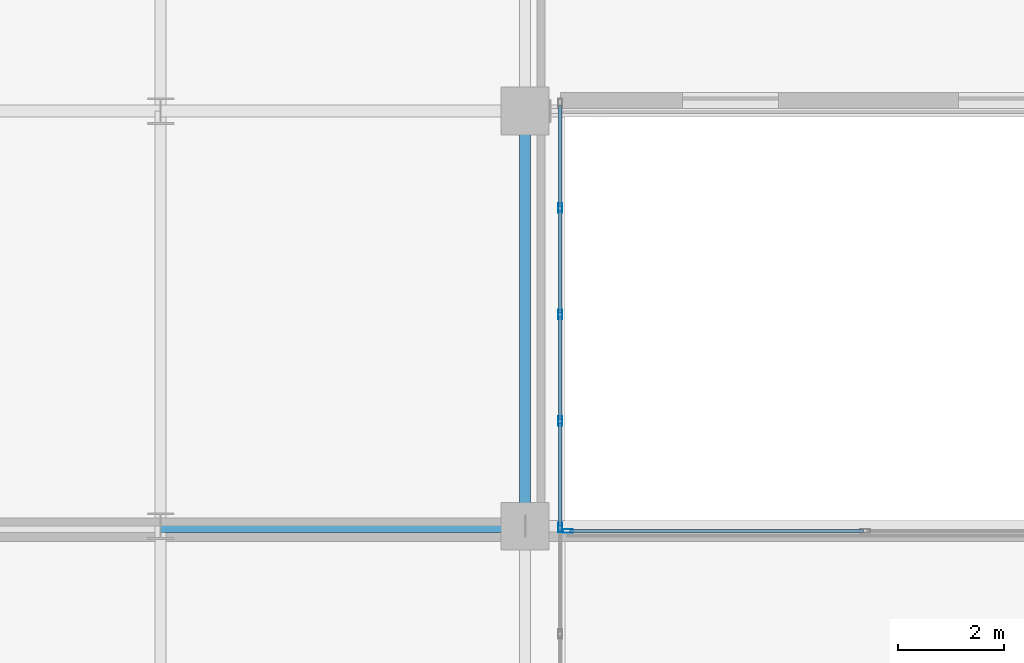
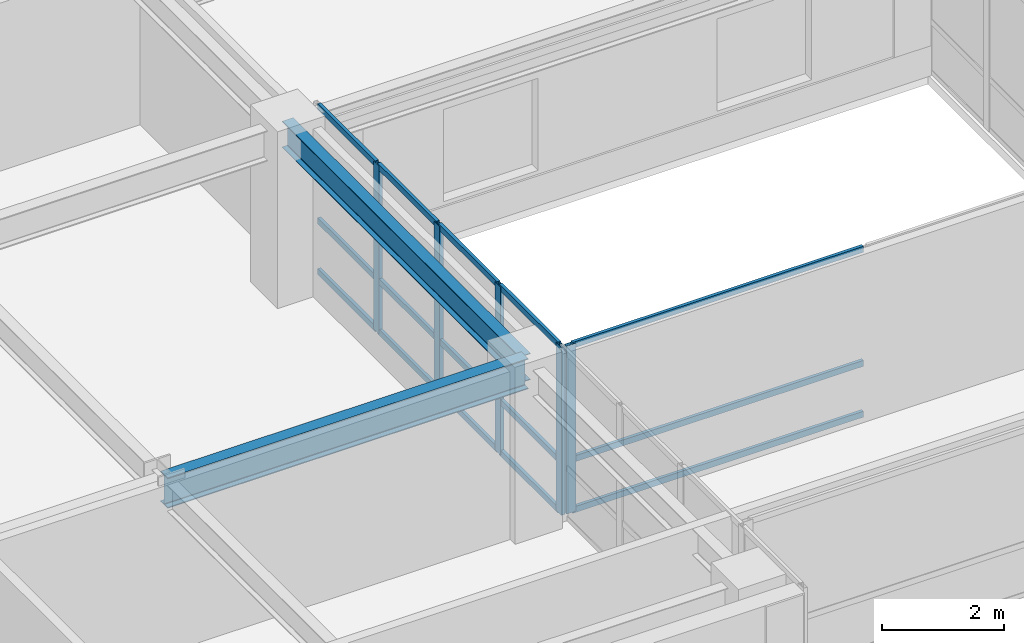
# One storey, part 3 of 31: 20 members, 2 beams, 2 elements without a shape of their own.
"""IFC4 building model written with IfcOpenShell, lengths in metres."""

from ifc_helpers import new_model, si_unit, direction, frame, origin, origin_2d, place, context, subcontext, project, spatial, hollow_rectangle, i_section, extrude, source, transform, mapped, material, layer, layer_set, material_profile, profile_set, type_object, type_shapes, element, aggregate, save


model = new_model("IFC4")

# Units and contexts
model_context = context("Model", 3, precision=1e-05, world=origin(), true_north=direction((0.0, 1.0)))
body_context = subcontext(model_context, "Body", "Model", "MODEL_VIEW")
ifc_project = project(units=[si_unit("LENGTHUNIT", "METRE"), si_unit("AREAUNIT", "SQUARE_METRE"), si_unit("VOLUMEUNIT", "CUBIC_METRE"), si_unit("PLANEANGLEUNIT", "RADIAN"), si_unit("MASSUNIT", "GRAM", prefix="KILO")], contexts=[model_context])

# Site, building, storey
site_placement = place(None, origin())
site = spatial("IfcSite", under=ifc_project, at=site_placement, CompositionType="ELEMENT")
building_placement = place(site_placement, origin())
building = spatial("IfcBuilding", under=site, at=building_placement, Name="Tolvann Quenvar Hotel", CompositionType="ELEMENT")
storey_placement = place(building_placement, frame((0.0, 0.0, 125.75)))
storey = spatial("IfcBuildingStorey", under=building, at=storey_placement, Name="L32", CompositionType="ELEMENT", Elevation=125.75)

# Beams
ifc_material_1 = material(Name="Steel Grade 350", Category="steel")
ifc_material_profile_1 = material_profile(ifc_material_1, i_section(OverallWidth=0.22900390625, OverallDepth=0.612060546875, WebThickness=0.011962890625, FlangeThickness=0.01953125, FilletRadius=0.013916015625, at=origin_2d()), Name="610UB125")
ifc_profile_set_1 = profile_set([ifc_material_profile_1], Name="Steel Grade 350")
beam_type_1 = type_object("IfcBeamType", Name="BM_GIRD_610UB125", PredefinedType="BEAM", material=ifc_profile_set_1)
shared_shape_1 = source(origin(), body_context, "Body", "SweptSolid", [
    extrude(i_section(OverallWidth=0.22900390625, OverallDepth=0.612060546875, WebThickness=0.011962890625, FlangeThickness=0.01953125, FilletRadius=0.013916015625, at=origin_2d()), origin(), (0.0, 0.0, 1.0), 6.85009765625),
])
type_shapes(beam_type_1, [shared_shape_1])
beam_1_placement = place(storey_placement, frame((15.199951171875, 8.199951171875, 3.06396484375), z_axis=(1.0, 0.0, 0.0), x_axis=(0.0, 1.0, 0.0)))
element("IfcBeam", 1, at=beam_1_placement, inside=storey, type_object=beam_type_1, Name="BM-L32-EW-3-D3-E3", PredefinedType="BEAM", context=body_context, shape_type="MappedRepresentation", body=[
    mapped(shared_shape_1, transform((0.0, 0.0, 0.0), x_axis=(1.0, 0.0, 0.0), y_axis=(0.0, 1.0, 0.0), z_axis=(0.0, 0.0, 1.0), scale=1.0)),
])
ifc_material_profile_2 = material_profile(ifc_material_1, i_section(OverallWidth=0.208984375, OverallDepth=0.532958984375, WebThickness=0.01025390625, FlangeThickness=0.015625, FilletRadius=0.013916015625, at=origin_2d()), Name="530UB92")
ifc_profile_set_2 = profile_set([ifc_material_profile_2], Name="Steel Grade 350")
beam_type_2 = type_object("IfcBeamType", Name="BM_GIRD_530UB92", PredefinedType="BEAM", material=ifc_profile_set_2)
shared_shape_2 = source(origin(), body_context, "Body", "SweptSolid", [
    extrude(i_section(OverallWidth=0.208984375, OverallDepth=0.532958984375, WebThickness=0.01025390625, FlangeThickness=0.015625, FilletRadius=0.013916015625, at=origin_2d()), origin(), (0.0, 0.0, 1.0), 7.800048828125),
])
type_shapes(beam_type_2, [shared_shape_2])
beam_2_placement = place(storey_placement, frame((22.050048828125, 8.199951171875, 3.103515625), z_axis=(0.0, 1.0, 0.0), x_axis=(-1.0, 0.0, 0.0)))
element("IfcBeam", 2, at=beam_2_placement, inside=storey, type_object=beam_type_2, Name="BM-L32-NS-E3-E4", PredefinedType="BEAM", context=body_context, shape_type="MappedRepresentation", body=[
    mapped(shared_shape_2, transform((0.0, 0.0, 0.0), x_axis=(1.0, 0.0, 0.0), y_axis=(0.0, 1.0, 0.0), z_axis=(0.0, 0.0, 1.0), scale=1.0)),
])

# Curtain wall, members
ifc_material_2 = material(Name="Thermally broken anodised architectural aluminium 6063-T6 and laminated low-E glass", Category="aluminium")
ifc_layer = layer(ifc_material_2, 0.179931640625)
ifc_layer_set = layer_set([ifc_layer], Name="Thermally broken anodised architectural aluminium 6063-T6 and laminated low-E glass")
curtain_wall_type = type_object("IfcCurtainWallType", Name="CW_SYS_SLOT_03", PredefinedType="USERDEFINED", material=ifc_layer_set)
curtain_wall_1_placement = place(storey_placement, origin())
curtain_wall_1 = element("IfcCurtainWall", 3, at=curtain_wall_1_placement, inside=storey, type_object=curtain_wall_type, Name="Curtain Wall CW-SLOT-03 (CWR-L32-E05)", ObjectType="UNITISED CURTAIN WALL", PredefinedType="USERDEFINED")
ifc_material_3 = material(Name="Anodised architectural aluminium 6063-T6 framing", Category="aluminium")
ifc_material_profile_3 = material_profile(ifc_material_3, hollow_rectangle(XDim=0.070068359375, YDim=0.179931640625, WallThickness=0.00390625, at=origin_2d()), Name="180x70x4RHS")
ifc_profile_set_3 = profile_set([ifc_material_profile_3], Name="Anodised architectural aluminium 6063-T6 framing")
member_type_1 = type_object("IfcMemberType", Name="CW_MULL_180x70", PredefinedType="MULLION", material=ifc_profile_set_3)
shared_shape_3 = source(origin(), body_context, "Body", "SweptSolid", [
    extrude(hollow_rectangle(XDim=0.070068359375, YDim=0.179931640625, WallThickness=0.00390625, at=origin_2d()), origin(), (0.0, 0.0, 1.0), 3.3701171875),
])
type_shapes(member_type_1, [shared_shape_3])
member_1_placement = place(storey_placement, frame((22.7099609375, 8.175048828125, 0.0), z_axis=(0.0, 0.0, 1.0), x_axis=(-1.0, 0.0, 0.0)))
member_1 = element("IfcMember", 4, at=member_1_placement, type_object=member_type_1, Name="CW-SLOT-03 mullion 5", PredefinedType="MULLION", context=body_context, shape_type="MappedRepresentation", body=[
    mapped(shared_shape_3, transform((0.0, 0.0, 0.0), x_axis=(1.0, 0.0, 0.0), y_axis=(0.0, 1.0, 0.0), z_axis=(0.0, 0.0, 1.0), scale=1.0)),
])
member_2_placement = place(storey_placement, frame((22.7099609375, 10.175048828125, 0.0), z_axis=(0.0, 0.0, 1.0), x_axis=(-1.0, 0.0, 0.0)))
member_2 = element("IfcMember", 5, at=member_2_placement, type_object=member_type_1, Name="CW-SLOT-03 mullion 6", PredefinedType="MULLION", context=body_context, shape_type="MappedRepresentation", body=[
    mapped(shared_shape_3, transform((0.0, 0.0, 0.0), x_axis=(1.0, 0.0, 0.0), y_axis=(0.0, 1.0, 0.0), z_axis=(0.0, 0.0, 1.0), scale=1.0)),
])
member_3_placement = place(storey_placement, frame((22.7099609375, 12.175048828125, 0.0), z_axis=(0.0, 0.0, 1.0), x_axis=(-1.0, 0.0, 0.0)))
member_3 = element("IfcMember", 6, at=member_3_placement, type_object=member_type_1, Name="CW-SLOT-03 mullion 7", PredefinedType="MULLION", context=body_context, shape_type="MappedRepresentation", body=[
    mapped(shared_shape_3, transform((0.0, 0.0, 0.0), x_axis=(1.0, 0.0, 0.0), y_axis=(0.0, 1.0, 0.0), z_axis=(0.0, 0.0, 1.0), scale=1.0)),
])
member_4_placement = place(storey_placement, frame((22.7099609375, 14.175048828125, 0.0), z_axis=(0.0, 0.0, 1.0), x_axis=(-1.0, 0.0, 0.0)))
member_4 = element("IfcMember", 7, at=member_4_placement, type_object=member_type_1, Name="CW-SLOT-03 mullion 8", PredefinedType="MULLION", context=body_context, shape_type="MappedRepresentation", body=[
    mapped(shared_shape_3, transform((0.0, 0.0, 0.0), x_axis=(1.0, 0.0, 0.0), y_axis=(0.0, 1.0, 0.0), z_axis=(0.0, 0.0, 1.0), scale=1.0)),
])

# Curtain wall, member
curtain_wall_2_placement = place(storey_placement, origin())
curtain_wall_2 = element("IfcCurtainWall", 8, at=curtain_wall_2_placement, inside=storey, type_object=curtain_wall_type, Name="Curtain Wall CW-SLOT-03 (CWR-BRG-L32-N)", ObjectType="UNITISED CURTAIN WALL", PredefinedType="USERDEFINED")
member_5_placement = place(storey_placement, frame((22.85498046875, 8.110107421875, 0.0), z_axis=(0.0, 0.0, 1.0), x_axis=(0.0, -1.0, 0.0)))
member_5 = element("IfcMember", 9, at=member_5_placement, type_object=member_type_1, Name="CW-SLOT-03 mullion 3", PredefinedType="MULLION", context=body_context, shape_type="MappedRepresentation", body=[
    mapped(shared_shape_3, transform((0.0, 0.0, 0.0), x_axis=(1.0, 0.0, 0.0), y_axis=(0.0, 1.0, 0.0), z_axis=(0.0, 0.0, 1.0), scale=1.0)),
])

# Member
ifc_material_profile_4 = material_profile(ifc_material_3, hollow_rectangle(XDim=0.06005859375, YDim=0.1201171875, WallThickness=0.00341796875, at=origin_2d()), Name="120x60x3.5RHS")
ifc_profile_set_4 = profile_set([ifc_material_profile_4], Name="Anodised architectural aluminium 6063-T6 framing")
member_type_2 = type_object("IfcMemberType", Name="CW_TRAN_120x60", PredefinedType="USERDEFINED", material=ifc_profile_set_4)
shared_shape_4 = source(origin(), body_context, "Body", "SweptSolid", [
    extrude(hollow_rectangle(XDim=0.06005859375, YDim=0.1201171875, WallThickness=0.00341796875, at=origin_2d()), origin(), (0.0, 0.0, 1.0), 1.929931640625),
])
member_6_placement = place(storey_placement, frame((22.7099609375, 8.2099609375, 0.030029296875), z_axis=(0.0, 1.0, 0.0), x_axis=(-1.0, 0.0, 0.0)))
member_6 = element("IfcMember", 10, at=member_6_placement, type_object=member_type_2, Name="CW-SLOT-03 transom 5.1", ObjectType="TRANSOM", PredefinedType="USERDEFINED", context=body_context, shape_type="MappedRepresentation", body=[
    mapped(shared_shape_4, transform((0.0, 0.0, 0.0), x_axis=(1.0, 0.0, 0.0), y_axis=(0.0, 1.0, 0.0), z_axis=(0.0, 0.0, 1.0), scale=1.0)),
])

member_7_placement = place(storey_placement, frame((22.7099609375, 8.2099609375, 1.050048828125), z_axis=(0.0, 1.0, 0.0), x_axis=(-1.0, 0.0, 0.0)))
member_7 = element("IfcMember", 11, at=member_7_placement, type_object=member_type_2, Name="CW-SLOT-03 transom 5.2", ObjectType="TRANSOM", PredefinedType="USERDEFINED", context=body_context, shape_type="MappedRepresentation", body=[
    mapped(shared_shape_4, transform((0.0, 0.0, 0.0), x_axis=(1.0, 0.0, 0.0), y_axis=(0.0, 1.0, 0.0), z_axis=(0.0, 0.0, 1.0), scale=1.0)),
])

member_8_placement = place(storey_placement, frame((22.7099609375, 8.2099609375, 3.340087890625), z_axis=(0.0, 1.0, 0.0), x_axis=(-1.0, 0.0, 0.0)))
member_8 = element("IfcMember", 12, at=member_8_placement, type_object=member_type_2, Name="CW-SLOT-03 transom 5.3", ObjectType="TRANSOM", PredefinedType="USERDEFINED", context=body_context, shape_type="MappedRepresentation", body=[
    mapped(shared_shape_4, transform((0.0, 0.0, 0.0), x_axis=(1.0, 0.0, 0.0), y_axis=(0.0, 1.0, 0.0), z_axis=(0.0, 0.0, 1.0), scale=1.0)),
])

member_9_placement = place(storey_placement, frame((22.7099609375, 10.2099609375, 0.030029296875), z_axis=(0.0, 1.0, 0.0), x_axis=(-1.0, 0.0, 0.0)))
member_9 = element("IfcMember", 13, at=member_9_placement, type_object=member_type_2, Name="CW-SLOT-03 transom 6.1", ObjectType="TRANSOM", PredefinedType="USERDEFINED", context=body_context, shape_type="MappedRepresentation", body=[
    mapped(shared_shape_4, transform((0.0, 0.0, 0.0), x_axis=(1.0, 0.0, 0.0), y_axis=(0.0, 1.0, 0.0), z_axis=(0.0, 0.0, 1.0), scale=1.0)),
])

member_10_placement = place(storey_placement, frame((22.7099609375, 10.2099609375, 1.050048828125), z_axis=(0.0, 1.0, 0.0), x_axis=(-1.0, 0.0, 0.0)))
member_10 = element("IfcMember", 14, at=member_10_placement, type_object=member_type_2, Name="CW-SLOT-03 transom 6.2", ObjectType="TRANSOM", PredefinedType="USERDEFINED", context=body_context, shape_type="MappedRepresentation", body=[
    mapped(shared_shape_4, transform((0.0, 0.0, 0.0), x_axis=(1.0, 0.0, 0.0), y_axis=(0.0, 1.0, 0.0), z_axis=(0.0, 0.0, 1.0), scale=1.0)),
])

member_11_placement = place(storey_placement, frame((22.7099609375, 10.2099609375, 3.340087890625), z_axis=(0.0, 1.0, 0.0), x_axis=(-1.0, 0.0, 0.0)))
member_11 = element("IfcMember", 15, at=member_11_placement, type_object=member_type_2, Name="CW-SLOT-03 transom 6.3", ObjectType="TRANSOM", PredefinedType="USERDEFINED", context=body_context, shape_type="MappedRepresentation", body=[
    mapped(shared_shape_4, transform((0.0, 0.0, 0.0), x_axis=(1.0, 0.0, 0.0), y_axis=(0.0, 1.0, 0.0), z_axis=(0.0, 0.0, 1.0), scale=1.0)),
])

member_12_placement = place(storey_placement, frame((22.7099609375, 12.2099609375, 0.030029296875), z_axis=(0.0, 1.0, 0.0), x_axis=(-1.0, 0.0, 0.0)))
member_12 = element("IfcMember", 16, at=member_12_placement, type_object=member_type_2, Name="CW-SLOT-03 transom 7.1", ObjectType="TRANSOM", PredefinedType="USERDEFINED", context=body_context, shape_type="MappedRepresentation", body=[
    mapped(shared_shape_4, transform((0.0, 0.0, 0.0), x_axis=(1.0, 0.0, 0.0), y_axis=(0.0, 1.0, 0.0), z_axis=(0.0, 0.0, 1.0), scale=1.0)),
])

member_13_placement = place(storey_placement, frame((22.7099609375, 12.2099609375, 1.050048828125), z_axis=(0.0, 1.0, 0.0), x_axis=(-1.0, 0.0, 0.0)))
member_13 = element("IfcMember", 17, at=member_13_placement, type_object=member_type_2, Name="CW-SLOT-03 transom 7.2", ObjectType="TRANSOM", PredefinedType="USERDEFINED", context=body_context, shape_type="MappedRepresentation", body=[
    mapped(shared_shape_4, transform((0.0, 0.0, 0.0), x_axis=(1.0, 0.0, 0.0), y_axis=(0.0, 1.0, 0.0), z_axis=(0.0, 0.0, 1.0), scale=1.0)),
])

member_14_placement = place(storey_placement, frame((22.7099609375, 12.2099609375, 3.340087890625), z_axis=(0.0, 1.0, 0.0), x_axis=(-1.0, 0.0, 0.0)))
member_14 = element("IfcMember", 18, at=member_14_placement, type_object=member_type_2, Name="CW-SLOT-03 transom 7.3", ObjectType="TRANSOM", PredefinedType="USERDEFINED", context=body_context, shape_type="MappedRepresentation", body=[
    mapped(shared_shape_4, transform((0.0, 0.0, 0.0), x_axis=(1.0, 0.0, 0.0), y_axis=(0.0, 1.0, 0.0), z_axis=(0.0, 0.0, 1.0), scale=1.0)),
])

shared_shape_5 = source(origin(), body_context, "Body", "SweptSolid", [
    extrude(hollow_rectangle(XDim=0.06005859375, YDim=0.1201171875, WallThickness=0.00341796875, at=origin_2d()), origin(), (0.0, 0.0, 1.0), 1.89501953125),
])
member_15_placement = place(storey_placement, frame((22.7099609375, 14.2099609375, 0.030029296875), z_axis=(0.0, 1.0, 0.0), x_axis=(-1.0, 0.0, 0.0)))
member_15 = element("IfcMember", 19, at=member_15_placement, type_object=member_type_2, Name="CW-SLOT-03 transom 8.1", ObjectType="TRANSOM", PredefinedType="USERDEFINED", context=body_context, shape_type="MappedRepresentation", body=[
    mapped(shared_shape_5, transform((0.0, 0.0, 0.0), x_axis=(1.0, 0.0, 0.0), y_axis=(0.0, 1.0, 0.0), z_axis=(0.0, 0.0, 1.0), scale=1.0)),
])

member_16_placement = place(storey_placement, frame((22.7099609375, 14.2099609375, 1.050048828125), z_axis=(0.0, 1.0, 0.0), x_axis=(-1.0, 0.0, 0.0)))
member_16 = element("IfcMember", 20, at=member_16_placement, type_object=member_type_2, Name="CW-SLOT-03 transom 8.2", ObjectType="TRANSOM", PredefinedType="USERDEFINED", context=body_context, shape_type="MappedRepresentation", body=[
    mapped(shared_shape_5, transform((0.0, 0.0, 0.0), x_axis=(1.0, 0.0, 0.0), y_axis=(0.0, 1.0, 0.0), z_axis=(0.0, 0.0, 1.0), scale=1.0)),
])

member_17_placement = place(storey_placement, frame((22.7099609375, 14.2099609375, 3.340087890625), z_axis=(0.0, 1.0, 0.0), x_axis=(-1.0, 0.0, 0.0)))
member_17 = element("IfcMember", 21, at=member_17_placement, type_object=member_type_2, Name="CW-SLOT-03 transom 8.3", ObjectType="TRANSOM", PredefinedType="USERDEFINED", context=body_context, shape_type="MappedRepresentation", body=[
    mapped(shared_shape_5, transform((0.0, 0.0, 0.0), x_axis=(1.0, 0.0, 0.0), y_axis=(0.0, 1.0, 0.0), z_axis=(0.0, 0.0, 1.0), scale=1.0)),
])

aggregate(curtain_wall_1, [member_1, member_2, member_3, member_4, member_6, member_7, member_8, member_9, member_10, member_11, member_12, member_13, member_14, member_15, member_16, member_17])

shared_shape_6 = source(origin(), body_context, "Body", "SweptSolid", [
    extrude(hollow_rectangle(XDim=0.06005859375, YDim=0.1201171875, WallThickness=0.00341796875, at=origin_2d()), origin(), (0.0, 0.0, 1.0), 5.51513671875),
])
type_shapes(member_type_2, [shared_shape_4, shared_shape_5, shared_shape_6])
member_18_placement = place(storey_placement, frame((28.405029296875, 8.110107421875, 0.030029296875), z_axis=(-1.0, 0.0, 0.0), x_axis=(0.0, -1.0, 0.0)))
member_18 = element("IfcMember", 22, at=member_18_placement, type_object=member_type_2, Name="CW-SLOT-03 transom 2.1", ObjectType="TRANSOM", PredefinedType="USERDEFINED", context=body_context, shape_type="MappedRepresentation", body=[
    mapped(shared_shape_6, transform((0.0, 0.0, 0.0), x_axis=(1.0, 0.0, 0.0), y_axis=(0.0, 1.0, 0.0), z_axis=(0.0, 0.0, 1.0), scale=1.0)),
])

member_19_placement = place(storey_placement, frame((28.405029296875, 8.110107421875, 1.050048828125), z_axis=(-1.0, 0.0, 0.0), x_axis=(0.0, -1.0, 0.0)))
member_19 = element("IfcMember", 23, at=member_19_placement, type_object=member_type_2, Name="CW-SLOT-03 transom 2.2", ObjectType="TRANSOM", PredefinedType="USERDEFINED", context=body_context, shape_type="MappedRepresentation", body=[
    mapped(shared_shape_6, transform((0.0, 0.0, 0.0), x_axis=(1.0, 0.0, 0.0), y_axis=(0.0, 1.0, 0.0), z_axis=(0.0, 0.0, 1.0), scale=1.0)),
])

member_20_placement = place(storey_placement, frame((28.405029296875, 8.110107421875, 3.340087890625), z_axis=(-1.0, 0.0, 0.0), x_axis=(0.0, -1.0, 0.0)))
member_20 = element("IfcMember", 24, at=member_20_placement, type_object=member_type_2, Name="CW-SLOT-03 transom 2.3", ObjectType="TRANSOM", PredefinedType="USERDEFINED", context=body_context, shape_type="MappedRepresentation", body=[
    mapped(shared_shape_6, transform((0.0, 0.0, 0.0), x_axis=(1.0, 0.0, 0.0), y_axis=(0.0, 1.0, 0.0), z_axis=(0.0, 0.0, 1.0), scale=1.0)),
])

aggregate(curtain_wall_2, [member_5, member_18, member_19, member_20])

save(model, "model.ifc")
